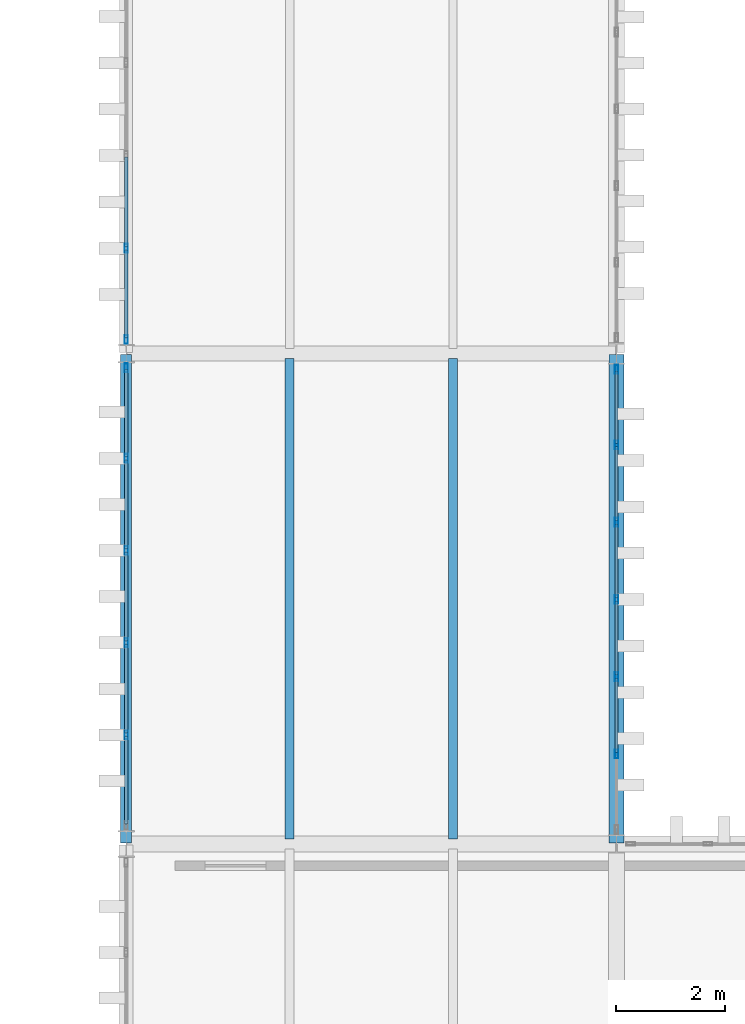
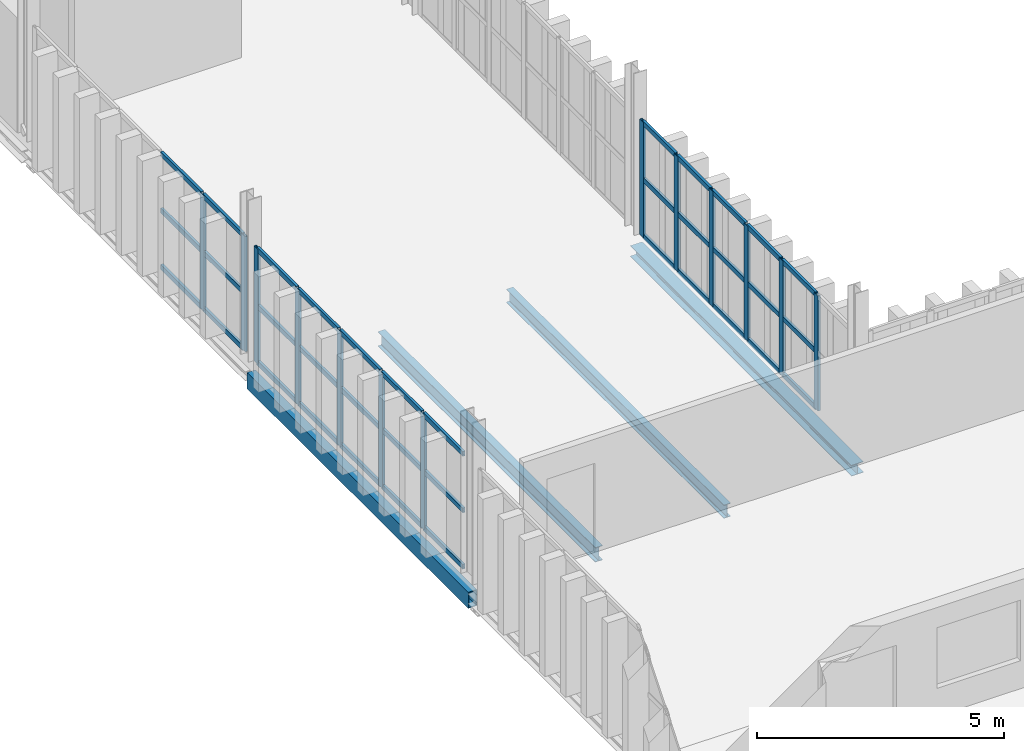
# One storey, part 53 of 102: 49 members, 4 beams, 3 elements without a shape of their own.
"""IFC4 building model written with IfcOpenShell, lengths in metres."""

import ifcopenshell
import ifcopenshell.guid

model = None  # the IFC model being written
_history = None  # IfcOwnerHistory: only IFC2X3 demands one
_inside = {}  # id of a spatial element -> (the spatial element, [elements in it])
_under = {}  # id of a project, library or spatial element -> (it, [spatial elements below it])
_declared = {}  # id of a project -> (the project, [libraries it declares])
_typed = {}  # id of a type object -> (the type object, [elements of that type])
_made_of = {}  # id of a material, layer set ... -> (it, [elements and type objects made of it])


def new_model(schema):
    """Start an empty IFC model of exactly this schema.

    Asked for "IFC4X3", IfcOpenShell would pick the latest addendum, in which some entities
    have other attributes; the version numbers below select the first issue.
    IFC2X3 requires an IfcOwnerHistory on every rooted entity: one is made here for all.
    """
    global model, _history
    if schema == "IFC4X3":
        model = ifcopenshell.file(schema_version=(4, 3, 0, 0))
    else:
        model = ifcopenshell.file(schema=schema)
    _inside.clear()
    _under.clear()
    _declared.clear()
    _typed.clear()
    _made_of.clear()
    _history = None
    if model.schema == "IFC2X3":
        org = make("IfcOrganization", Name="unknown")
        user = make(
            "IfcPersonAndOrganization",
            ThePerson=make("IfcPerson", FamilyName="unknown"),
            TheOrganization=org,
        )
        app = make(
            "IfcApplication",
            ApplicationDeveloper=org,
            Version="unknown",
            ApplicationFullName="unknown",
            ApplicationIdentifier="unknown",
        )
        _history = make(
            "IfcOwnerHistory",
            OwningUser=user,
            OwningApplication=app,
            ChangeAction="ADDED",
            CreationDate=0,
        )
    return model


def make(cls, **values):
    """One entity of the class cls with the attributes given. An attribute that is None is left unset."""
    return model.create_entity(
        cls, **{name: value for name, value in values.items() if value is not None}
    )


def rooted(cls, **values):
    """An entity with a GlobalId (a new one), such as an element, a storey or a relation."""
    return make(cls, GlobalId=ifcopenshell.guid.new(), OwnerHistory=_history, **values)


def si_unit(unit_type, name, prefix=None):
    """IfcSIUnit, for example si_unit("LENGTHUNIT", "METRE", prefix="MILLI")."""
    return make("IfcSIUnit", UnitType=unit_type, Prefix=prefix, Name=name)


def assignment(units):
    """IfcUnitAssignment: the units of a project."""
    return None if units is None else make("IfcUnitAssignment", Units=units)


def point(xyz):
    """IfcCartesianPoint."""
    return None if xyz is None else make("IfcCartesianPoint", Coordinates=xyz)


def direction(xyz):
    """IfcDirection."""
    return None if xyz is None else make("IfcDirection", DirectionRatios=xyz)


def frame(location, z_axis=None, x_axis=None):
    """IfcAxis2Placement3D, a coordinate frame: its origin and axes. An axis left out is left unset."""
    return make(
        "IfcAxis2Placement3D",
        Location=point(location),
        Axis=direction(z_axis),
        RefDirection=direction(x_axis),
    )


def frame_2d(location, x_axis=None):
    """IfcAxis2Placement2D, a coordinate frame in the plane: its origin and x axis."""
    return make(
        "IfcAxis2Placement2D", Location=point(location), RefDirection=direction(x_axis)
    )


def origin():
    """The frame at (0, 0, 0) with its axes left unset."""
    return frame((0.0, 0.0, 0.0))


def origin_2d():
    """The frame at (0, 0) in the plane with its x axis left unset."""
    return frame_2d((0.0, 0.0))


def place(relative_to, where):
    """IfcLocalPlacement: puts the frame where relative to a parent placement (None: the world)."""
    return make(
        "IfcLocalPlacement", PlacementRelTo=relative_to, RelativePlacement=where
    )


def context(
    kind, dimensions, precision=None, world=None, true_north=None, identifier=None
):
    """IfcGeometricRepresentationContext, for example the 3D "Model" context."""
    return make(
        "IfcGeometricRepresentationContext",
        ContextIdentifier=identifier,
        ContextType=kind,
        CoordinateSpaceDimension=dimensions,
        Precision=precision,
        WorldCoordinateSystem=world,
        TrueNorth=true_north,
    )


def subcontext(parent, identifier, kind, view, scale=None):
    """IfcGeometricRepresentationSubContext, for example "Body" below "Model"."""
    return make(
        "IfcGeometricRepresentationSubContext",
        ContextIdentifier=identifier,
        ContextType=kind,
        ParentContext=parent,
        TargetScale=scale,
        TargetView=view,
    )


def project(units=None, contexts=None):
    """IfcProject with its units and contexts."""
    return rooted(
        "IfcProject",
        Name="project",
        RepresentationContexts=contexts,
        UnitsInContext=assignment(units),
    )


def spatial(cls, under=None, at=None, **own):
    """A site, building, storey or space (cls), placed at a placement, below another one or the project."""
    s = rooted(cls, ObjectPlacement=at, **own)
    if under is not None:
        _under.setdefault(under.id(), (under, []))[1].append(s)
    return s


def profile(cls, at=None, kind="AREA", **sizes):
    """A parametric profile (cls). Its sizes go by their IFC names, for example OverallWidth=200.0."""
    return make(cls, ProfileType=kind, Position=at, **sizes)


def hollow_rectangle(**sizes):
    """IfcRectangleHollowProfileDef."""
    return profile("IfcRectangleHollowProfileDef", **sizes)


def i_section(**sizes):
    """IfcIShapeProfileDef."""
    return profile("IfcIShapeProfileDef", **sizes)


def extrude(swept, where, along, depth):
    """IfcExtrudedAreaSolid: the profile swept, set in the frame where, extruded along a direction by depth."""
    return make(
        "IfcExtrudedAreaSolid",
        SweptArea=swept,
        Position=where,
        ExtrudedDirection=direction(along),
        Depth=depth,
    )


def shape(context_of_items, identifier, shape_type, items):
    """IfcShapeRepresentation: the items that make up one representation, for example the "Body"."""
    return make(
        "IfcShapeRepresentation",
        ContextOfItems=context_of_items,
        RepresentationIdentifier=identifier,
        RepresentationType=shape_type,
        Items=items,
    )


def material(Name=None, Category=None):
    """IfcMaterial."""
    return make("IfcMaterial", Name=Name, Category=Category)


def layer(
    of_material, thickness, ventilated=None, Name=None, Category=None, Priority=None
):
    """IfcMaterialLayer: one layer of a wall or slab, of a material (None: an air gap)."""
    return make(
        "IfcMaterialLayer",
        Material=of_material,
        LayerThickness=thickness,
        IsVentilated=ventilated,
        Name=Name,
        Category=Category,
        Priority=Priority,
    )


def layer_set(layers, Name=None):
    """IfcMaterialLayerSet."""
    return make("IfcMaterialLayerSet", MaterialLayers=layers, LayerSetName=Name)


def material_profile(
    of_material, cross_section, Name=None, Category=None, Priority=None
):
    """IfcMaterialProfile: a cross section and its material."""
    return make(
        "IfcMaterialProfile",
        Name=Name,
        Material=of_material,
        Profile=cross_section,
        Priority=Priority,
        Category=Category,
    )


def profile_set(profiles, Name=None, composite=None):
    """IfcMaterialProfileSet."""
    return make(
        "IfcMaterialProfileSet",
        Name=Name,
        MaterialProfiles=profiles,
        CompositeProfile=composite,
    )


def made_of(thing, what):
    """Note that an element or type object is made of a material, layer set ...; save() writes the relation."""
    if what is not None:
        _made_of.setdefault(what.id(), (what, []))[1].append(thing)
    return thing


def type_object(cls, material=None, **own):
    """A type object (cls), such as IfcWallType, which elements share."""
    return made_of(rooted(cls, **own), material)


def element(
    cls,
    number,
    at=None,
    inside=None,
    cuts=None,
    type_object=None,
    material=None,
    context=None,
    identifier="Body",
    shape_type=None,
    held_by="IfcProductDefinitionShape",
    body=None,
    shapes=None,
    **own,
):
    """One element of the class cls, such as IfcWall. Its Tag is "e" and its number.

    at: its placement. inside: the storey or other place that contains it. cuts: it is an
    opening in that element (IfcRelVoidsElement). A single representation is given by context,
    identifier, shape_type and body (its items); several are given by shapes. held_by: the class
    of the entity that holds the representations. save() writes the other relations.
    """
    e = rooted(cls, Tag="e%d" % number, ObjectPlacement=at, **own)
    if body is not None:
        shapes = [shape(context, identifier, shape_type, body)]
    if shapes is not None:
        e.Representation = make(held_by, Representations=shapes)
    if inside is not None:
        _inside.setdefault(inside.id(), (inside, []))[1].append(e)
    if cuts is not None:
        rooted(
            "IfcRelVoidsElement", RelatingBuildingElement=cuts, RelatedOpeningElement=e
        )
    if type_object is not None:
        _typed.setdefault(type_object.id(), (type_object, []))[1].append(e)
    return made_of(e, material)


def aggregate(whole, parts):
    """IfcRelAggregates: a whole, such as a stair, and the parts it consists of."""
    return rooted("IfcRelAggregates", RelatingObject=whole, RelatedObjects=parts)


def save(model, path):
    """Write the relations noted so far, then the file.

    IfcRelAggregates (storeys below a building ...), IfcRelContainedInSpatialStructure (elements
    in a storey), IfcRelDefinesByType, IfcRelAssociatesMaterial and IfcRelDeclares: one each for
    every whole, place, type object, material and project.
    """
    for whole, parts in _under.values():
        aggregate(whole, parts)
    for where, things in _inside.values():
        rooted(
            "IfcRelContainedInSpatialStructure",
            RelatedElements=things,
            RelatingStructure=where,
        )
    for kind, things in _typed.values():
        rooted("IfcRelDefinesByType", RelatedObjects=things, RelatingType=kind)
    for what, things in _made_of.values():
        rooted("IfcRelAssociatesMaterial", RelatedObjects=things, RelatingMaterial=what)
    for by, libraries in _declared.values():
        rooted("IfcRelDeclares", RelatingContext=by, RelatedDefinitions=libraries)
    model.write(path)


model = new_model("IFC4")

# Units and contexts
model_context = context("Model", 3, precision=1e-05, world=origin(), true_north=direction((0.0, 1.0)))
body_context = subcontext(model_context, "Body", "Model", "MODEL_VIEW")
ifc_project = project(units=[si_unit("LENGTHUNIT", "METRE"), si_unit("AREAUNIT", "SQUARE_METRE"), si_unit("VOLUMEUNIT", "CUBIC_METRE"), si_unit("PLANEANGLEUNIT", "RADIAN"), si_unit("MASSUNIT", "GRAM", prefix="KILO")], contexts=[model_context])

# Site, building, storey
site_placement = place(None, origin())
site = spatial("IfcSite", under=ifc_project, at=site_placement, CompositionType="ELEMENT")
building_placement = place(site_placement, origin())
building = spatial("IfcBuilding", under=site, at=building_placement, Name="Barlavento Convention Centre", CompositionType="ELEMENT")
storey_placement = place(building_placement, frame((0.0, 0.0, 22.800048828125)))
storey = spatial("IfcBuildingStorey", under=building, at=storey_placement, Name="L04", CompositionType="ELEMENT", Elevation=22.800048828125)

# Curtain wall, members
ifc_material_1 = material(Name="Powder-coated aluminium and Low-E glass", Category="aluminium")
ifc_layer_1 = layer(ifc_material_1, 0.179931640625)
ifc_layer_set_1 = layer_set([ifc_layer_1], Name="ARC-CW-PATIO-B")
curtain_wall_type_1 = type_object("IfcCurtainWallType", Name="ARC-CW-PATIO-B", PredefinedType="NOTDEFINED", material=ifc_layer_set_1)
curtain_wall_1_placement = place(storey_placement, origin())
curtain_wall_1 = element("IfcCurtainWall", 1, at=curtain_wall_1_placement, inside=storey, type_object=curtain_wall_type_1, Name="L04 unitised curtain wall CW12", PredefinedType="NOTDEFINED")
ifc_material_2 = material(Name="Powder-coated aluminium", Category="aluminium")
ifc_material_profile_1 = material_profile(ifc_material_2, hollow_rectangle(XDim=0.06005859375, YDim=0.159912109375, WallThickness=0.00390625, at=origin_2d()), Name="AL-MULL 60x160x4")
ifc_profile_set_1 = profile_set([ifc_material_profile_1], Name="Powder-coated aluminium")
member_type_1 = type_object("IfcMemberType", Name="ARC-CWM-60X160", PredefinedType="MULLION", material=ifc_profile_set_1)
member_1_placement = place(storey_placement, frame((135.0, 64.6484375, 0.0), z_axis=(0.0, 0.0, 1.0), x_axis=(-1.0, 0.0, 0.0)))
member_1 = element("IfcMember", 2, at=member_1_placement, type_object=member_type_1, Name="CW12 mullion 2", PredefinedType="MULLION", context=body_context, shape_type="SweptSolid", body=[
    extrude(hollow_rectangle(XDim=0.06005859375, YDim=0.159912109375, WallThickness=0.00390625, at=origin_2d()), origin(), (0.0, 0.0, 1.0), 2.849853515625),
])
member_2_placement = place(storey_placement, frame((135.0, 66.066650390625, 0.0), z_axis=(0.0, 0.0, 1.0), x_axis=(-1.0, 0.0, 0.0)))
member_2 = element("IfcMember", 3, at=member_2_placement, type_object=member_type_1, Name="CW12 mullion 3", PredefinedType="MULLION", context=body_context, shape_type="SweptSolid", body=[
    extrude(hollow_rectangle(XDim=0.06005859375, YDim=0.159912109375, WallThickness=0.00390625, at=origin_2d()), origin(), (0.0, 0.0, 1.0), 2.849853515625),
])
member_3_placement = place(storey_placement, frame((135.0, 67.485107421875, 0.0), z_axis=(0.0, 0.0, 1.0), x_axis=(-1.0, 0.0, 0.0)))
member_3 = element("IfcMember", 4, at=member_3_placement, type_object=member_type_1, Name="CW12 mullion 4", PredefinedType="MULLION", context=body_context, shape_type="SweptSolid", body=[
    extrude(hollow_rectangle(XDim=0.06005859375, YDim=0.159912109375, WallThickness=0.00390625, at=origin_2d()), origin(), (0.0, 0.0, 1.0), 2.849853515625),
])
member_4_placement = place(storey_placement, frame((135.0, 68.9033203125, 0.0), z_axis=(0.0, 0.0, 1.0), x_axis=(-1.0, 0.0, 0.0)))
member_4 = element("IfcMember", 5, at=member_4_placement, type_object=member_type_1, Name="CW12 mullion 5", PredefinedType="MULLION", context=body_context, shape_type="SweptSolid", body=[
    extrude(hollow_rectangle(XDim=0.06005859375, YDim=0.159912109375, WallThickness=0.00390625, at=origin_2d()), origin(), (0.0, 0.0, 1.0), 2.849853515625),
])
member_5_placement = place(storey_placement, frame((135.0, 70.32177734375, 0.0), z_axis=(0.0, 0.0, 1.0), x_axis=(-1.0, 0.0, 0.0)))
member_5 = element("IfcMember", 6, at=member_5_placement, type_object=member_type_1, Name="CW12 mullion 6", PredefinedType="MULLION", context=body_context, shape_type="SweptSolid", body=[
    extrude(hollow_rectangle(XDim=0.06005859375, YDim=0.159912109375, WallThickness=0.00390625, at=origin_2d()), origin(), (0.0, 0.0, 1.0), 2.849853515625),
])
member_6_placement = place(storey_placement, frame((135.0, 71.7099609375, 0.0), z_axis=(0.0, 0.0, 1.0), x_axis=(-1.0, 0.0, 0.0)))
member_6 = element("IfcMember", 7, at=member_6_placement, type_object=member_type_1, Name="CW12 mullion 7", PredefinedType="MULLION", context=body_context, shape_type="SweptSolid", body=[
    extrude(hollow_rectangle(XDim=0.06005859375, YDim=0.159912109375, WallThickness=0.00390625, at=origin_2d()), origin(), (0.0, 0.0, 1.0), 2.849853515625),
])

ifc_layer_2 = layer(ifc_material_1, 0.18505859375)
ifc_layer_set_2 = layer_set([ifc_layer_2], Name="ARC-CW-CONF-L04")
curtain_wall_type_2 = type_object("IfcCurtainWallType", Name="ARC-CW-CONF-L04", PredefinedType="NOTDEFINED", material=ifc_layer_set_2)
curtain_wall_2_placement = place(storey_placement, origin())
curtain_wall_2 = element("IfcCurtainWall", 8, at=curtain_wall_2_placement, inside=storey, type_object=curtain_wall_type_2, Name="L04 unitised curtain wall CW09", PredefinedType="NOTDEFINED")
member_7_placement = place(storey_placement, frame((126.0, 65.001953125, 0.0), z_axis=(0.0, 0.0, 1.0), x_axis=(-1.0, 0.0, 0.0)))
member_7 = element("IfcMember", 9, at=member_7_placement, type_object=member_type_1, Name="CW09 mullion 2", PredefinedType="MULLION", context=body_context, shape_type="SweptSolid", body=[
    extrude(hollow_rectangle(XDim=0.06005859375, YDim=0.159912109375, WallThickness=0.00390625, at=origin_2d()), origin(), (0.0, 0.0, 1.0), 2.849853515625),
])
member_8_placement = place(storey_placement, frame((126.0, 66.694091796875, 0.0), z_axis=(0.0, 0.0, 1.0), x_axis=(-1.0, 0.0, 0.0)))
member_8 = element("IfcMember", 10, at=member_8_placement, type_object=member_type_1, Name="CW09 mullion 3", PredefinedType="MULLION", context=body_context, shape_type="SweptSolid", body=[
    extrude(hollow_rectangle(XDim=0.06005859375, YDim=0.159912109375, WallThickness=0.00390625, at=origin_2d()), origin(), (0.0, 0.0, 1.0), 2.849853515625),
])
member_9_placement = place(storey_placement, frame((126.0, 68.385986328125, 0.0), z_axis=(0.0, 0.0, 1.0), x_axis=(-1.0, 0.0, 0.0)))
member_9 = element("IfcMember", 11, at=member_9_placement, type_object=member_type_1, Name="CW09 mullion 4", PredefinedType="MULLION", context=body_context, shape_type="SweptSolid", body=[
    extrude(hollow_rectangle(XDim=0.06005859375, YDim=0.159912109375, WallThickness=0.00390625, at=origin_2d()), origin(), (0.0, 0.0, 1.0), 2.849853515625),
])
member_10_placement = place(storey_placement, frame((126.0, 70.077880859375, 0.0), z_axis=(0.0, 0.0, 1.0), x_axis=(-1.0, 0.0, 0.0)))
member_10 = element("IfcMember", 12, at=member_10_placement, type_object=member_type_1, Name="CW09 mullion 5", PredefinedType="MULLION", context=body_context, shape_type="SweptSolid", body=[
    extrude(hollow_rectangle(XDim=0.06005859375, YDim=0.159912109375, WallThickness=0.00390625, at=origin_2d()), origin(), (0.0, 0.0, 1.0), 2.849853515625),
])
member_11_placement = place(storey_placement, frame((126.0, 71.739990234375, 0.0), z_axis=(0.0, 0.0, 1.0), x_axis=(-1.0, 0.0, 0.0)))
member_11 = element("IfcMember", 13, at=member_11_placement, type_object=member_type_1, Name="CW09 mullion 6", PredefinedType="MULLION", context=body_context, shape_type="SweptSolid", body=[
    extrude(hollow_rectangle(XDim=0.06005859375, YDim=0.159912109375, WallThickness=0.00390625, at=origin_2d()), origin(), (0.0, 0.0, 1.0), 2.849853515625),
])

curtain_wall_3_placement = place(storey_placement, origin())
curtain_wall_3 = element("IfcCurtainWall", 14, at=curtain_wall_3_placement, inside=storey, type_object=curtain_wall_type_2, Name="L04 unitised curtain wall CW09", PredefinedType="NOTDEFINED")
member_12_placement = place(storey_placement, frame((126.0, 72.260009765625, 0.0), z_axis=(0.0, 0.0, 1.0), x_axis=(-1.0, 0.0, 0.0)))
member_12 = element("IfcMember", 15, at=member_12_placement, type_object=member_type_1, Name="CW09 mullion 1", PredefinedType="MULLION", context=body_context, shape_type="SweptSolid", body=[
    extrude(hollow_rectangle(XDim=0.06005859375, YDim=0.159912109375, WallThickness=0.00390625, at=origin_2d()), origin(), (0.0, 0.0, 1.0), 2.849853515625),
])
member_13_placement = place(storey_placement, frame((126.0, 73.931884765625, 0.0), z_axis=(0.0, 0.0, 1.0), x_axis=(-1.0, 0.0, 0.0)))
member_13 = element("IfcMember", 16, at=member_13_placement, type_object=member_type_1, Name="CW09 mullion 2", PredefinedType="MULLION", context=body_context, shape_type="SweptSolid", body=[
    extrude(hollow_rectangle(XDim=0.06005859375, YDim=0.159912109375, WallThickness=0.00390625, at=origin_2d()), origin(), (0.0, 0.0, 1.0), 2.849853515625),
])

# Member
ifc_material_profile_2 = material_profile(ifc_material_2, hollow_rectangle(XDim=0.06005859375, YDim=0.1201171875, WallThickness=0.00390625, at=origin_2d()), Name="AL-TRAN 60x120x4")
ifc_profile_set_2 = profile_set([ifc_material_profile_2], Name="Powder-coated aluminium")
member_type_2 = type_object("IfcMemberType", Name="ARC-CWT-60X120", PredefinedType="USERDEFINED", material=ifc_profile_set_2)
member_14_placement = place(storey_placement, frame((135.0, 64.67822265625, 0.030029296875), z_axis=(0.0, 1.0, 0.0), x_axis=(-1.0, 0.0, 0.0)))
member_14 = element("IfcMember", 17, at=member_14_placement, type_object=member_type_2, Name="CW12 transom 2.1", ObjectType="TRANSOM", PredefinedType="USERDEFINED", context=body_context, shape_type="SweptSolid", body=[
    extrude(hollow_rectangle(XDim=0.06005859375, YDim=0.1201171875, WallThickness=0.00390625, at=origin_2d()), origin(), (0.0, 0.0, 1.0), 1.3583984375),
])

member_15_placement = place(storey_placement, frame((135.0, 64.67822265625, 1.425048828125), z_axis=(0.0, 1.0, 0.0), x_axis=(-1.0, 0.0, 0.0)))
member_15 = element("IfcMember", 18, at=member_15_placement, type_object=member_type_2, Name="CW12 transom 2.2", ObjectType="TRANSOM", PredefinedType="USERDEFINED", context=body_context, shape_type="SweptSolid", body=[
    extrude(hollow_rectangle(XDim=0.06005859375, YDim=0.1201171875, WallThickness=0.00390625, at=origin_2d()), origin(), (0.0, 0.0, 1.0), 1.3583984375),
])

member_16_placement = place(storey_placement, frame((135.0, 64.67822265625, 2.820068359375), z_axis=(0.0, 1.0, 0.0), x_axis=(-1.0, 0.0, 0.0)))
member_16 = element("IfcMember", 19, at=member_16_placement, type_object=member_type_2, Name="CW12 transom 2.3", ObjectType="TRANSOM", PredefinedType="USERDEFINED", context=body_context, shape_type="SweptSolid", body=[
    extrude(hollow_rectangle(XDim=0.06005859375, YDim=0.1201171875, WallThickness=0.00390625, at=origin_2d()), origin(), (0.0, 0.0, 1.0), 1.3583984375),
])

member_17_placement = place(storey_placement, frame((135.0, 66.0966796875, 0.030029296875), z_axis=(0.0, 1.0, 0.0), x_axis=(-1.0, 0.0, 0.0)))
member_17 = element("IfcMember", 20, at=member_17_placement, type_object=member_type_2, Name="CW12 transom 3.1", ObjectType="TRANSOM", PredefinedType="USERDEFINED", context=body_context, shape_type="SweptSolid", body=[
    extrude(hollow_rectangle(XDim=0.06005859375, YDim=0.1201171875, WallThickness=0.00390625, at=origin_2d()), origin(), (0.0, 0.0, 1.0), 1.3583984375),
])

member_18_placement = place(storey_placement, frame((135.0, 66.0966796875, 1.425048828125), z_axis=(0.0, 1.0, 0.0), x_axis=(-1.0, 0.0, 0.0)))
member_18 = element("IfcMember", 21, at=member_18_placement, type_object=member_type_2, Name="CW12 transom 3.2", ObjectType="TRANSOM", PredefinedType="USERDEFINED", context=body_context, shape_type="SweptSolid", body=[
    extrude(hollow_rectangle(XDim=0.06005859375, YDim=0.1201171875, WallThickness=0.00390625, at=origin_2d()), origin(), (0.0, 0.0, 1.0), 1.3583984375),
])

member_19_placement = place(storey_placement, frame((135.0, 66.0966796875, 2.820068359375), z_axis=(0.0, 1.0, 0.0), x_axis=(-1.0, 0.0, 0.0)))
member_19 = element("IfcMember", 22, at=member_19_placement, type_object=member_type_2, Name="CW12 transom 3.3", ObjectType="TRANSOM", PredefinedType="USERDEFINED", context=body_context, shape_type="SweptSolid", body=[
    extrude(hollow_rectangle(XDim=0.06005859375, YDim=0.1201171875, WallThickness=0.00390625, at=origin_2d()), origin(), (0.0, 0.0, 1.0), 1.3583984375),
])

member_20_placement = place(storey_placement, frame((135.0, 67.514892578125, 0.030029296875), z_axis=(0.0, 1.0, 0.0), x_axis=(-1.0, 0.0, 0.0)))
member_20 = element("IfcMember", 23, at=member_20_placement, type_object=member_type_2, Name="CW12 transom 4.1", ObjectType="TRANSOM", PredefinedType="USERDEFINED", context=body_context, shape_type="SweptSolid", body=[
    extrude(hollow_rectangle(XDim=0.06005859375, YDim=0.1201171875, WallThickness=0.00390625, at=origin_2d()), origin(), (0.0, 0.0, 1.0), 1.3583984375),
])

member_21_placement = place(storey_placement, frame((135.0, 67.514892578125, 1.425048828125), z_axis=(0.0, 1.0, 0.0), x_axis=(-1.0, 0.0, 0.0)))
member_21 = element("IfcMember", 24, at=member_21_placement, type_object=member_type_2, Name="CW12 transom 4.2", ObjectType="TRANSOM", PredefinedType="USERDEFINED", context=body_context, shape_type="SweptSolid", body=[
    extrude(hollow_rectangle(XDim=0.06005859375, YDim=0.1201171875, WallThickness=0.00390625, at=origin_2d()), origin(), (0.0, 0.0, 1.0), 1.3583984375),
])

member_22_placement = place(storey_placement, frame((135.0, 67.514892578125, 2.820068359375), z_axis=(0.0, 1.0, 0.0), x_axis=(-1.0, 0.0, 0.0)))
member_22 = element("IfcMember", 25, at=member_22_placement, type_object=member_type_2, Name="CW12 transom 4.3", ObjectType="TRANSOM", PredefinedType="USERDEFINED", context=body_context, shape_type="SweptSolid", body=[
    extrude(hollow_rectangle(XDim=0.06005859375, YDim=0.1201171875, WallThickness=0.00390625, at=origin_2d()), origin(), (0.0, 0.0, 1.0), 1.3583984375),
])

member_23_placement = place(storey_placement, frame((135.0, 68.933349609375, 0.030029296875), z_axis=(0.0, 1.0, 0.0), x_axis=(-1.0, 0.0, 0.0)))
member_23 = element("IfcMember", 26, at=member_23_placement, type_object=member_type_2, Name="CW12 transom 5.1", ObjectType="TRANSOM", PredefinedType="USERDEFINED", context=body_context, shape_type="SweptSolid", body=[
    extrude(hollow_rectangle(XDim=0.06005859375, YDim=0.1201171875, WallThickness=0.00390625, at=origin_2d()), origin(), (0.0, 0.0, 1.0), 1.3583984375),
])

member_24_placement = place(storey_placement, frame((135.0, 68.933349609375, 1.425048828125), z_axis=(0.0, 1.0, 0.0), x_axis=(-1.0, 0.0, 0.0)))
member_24 = element("IfcMember", 27, at=member_24_placement, type_object=member_type_2, Name="CW12 transom 5.2", ObjectType="TRANSOM", PredefinedType="USERDEFINED", context=body_context, shape_type="SweptSolid", body=[
    extrude(hollow_rectangle(XDim=0.06005859375, YDim=0.1201171875, WallThickness=0.00390625, at=origin_2d()), origin(), (0.0, 0.0, 1.0), 1.3583984375),
])

member_25_placement = place(storey_placement, frame((135.0, 68.933349609375, 2.820068359375), z_axis=(0.0, 1.0, 0.0), x_axis=(-1.0, 0.0, 0.0)))
member_25 = element("IfcMember", 28, at=member_25_placement, type_object=member_type_2, Name="CW12 transom 5.3", ObjectType="TRANSOM", PredefinedType="USERDEFINED", context=body_context, shape_type="SweptSolid", body=[
    extrude(hollow_rectangle(XDim=0.06005859375, YDim=0.1201171875, WallThickness=0.00390625, at=origin_2d()), origin(), (0.0, 0.0, 1.0), 1.3583984375),
])

member_26_placement = place(storey_placement, frame((135.0, 70.3515625, 0.030029296875), z_axis=(0.0, 1.0, 0.0), x_axis=(-1.0, 0.0, 0.0)))
member_26 = element("IfcMember", 29, at=member_26_placement, type_object=member_type_2, Name="CW12 transom 6.1", ObjectType="TRANSOM", PredefinedType="USERDEFINED", context=body_context, shape_type="SweptSolid", body=[
    extrude(hollow_rectangle(XDim=0.06005859375, YDim=0.1201171875, WallThickness=0.00390625, at=origin_2d()), origin(), (0.0, 0.0, 1.0), 1.328369140625),
])

member_27_placement = place(storey_placement, frame((135.0, 70.3515625, 1.425048828125), z_axis=(0.0, 1.0, 0.0), x_axis=(-1.0, 0.0, 0.0)))
member_27 = element("IfcMember", 30, at=member_27_placement, type_object=member_type_2, Name="CW12 transom 6.2", ObjectType="TRANSOM", PredefinedType="USERDEFINED", context=body_context, shape_type="SweptSolid", body=[
    extrude(hollow_rectangle(XDim=0.06005859375, YDim=0.1201171875, WallThickness=0.00390625, at=origin_2d()), origin(), (0.0, 0.0, 1.0), 1.328369140625),
])

member_28_placement = place(storey_placement, frame((135.0, 70.3515625, 2.820068359375), z_axis=(0.0, 1.0, 0.0), x_axis=(-1.0, 0.0, 0.0)))
member_28 = element("IfcMember", 31, at=member_28_placement, type_object=member_type_2, Name="CW12 transom 6.3", ObjectType="TRANSOM", PredefinedType="USERDEFINED", context=body_context, shape_type="SweptSolid", body=[
    extrude(hollow_rectangle(XDim=0.06005859375, YDim=0.1201171875, WallThickness=0.00390625, at=origin_2d()), origin(), (0.0, 0.0, 1.0), 1.328369140625),
])

aggregate(curtain_wall_1, [member_1, member_2, member_3, member_4, member_5, member_6, member_14, member_15, member_16, member_17, member_18, member_19, member_20, member_21, member_22, member_23, member_24, member_25, member_26, member_27, member_28])

member_29_placement = place(storey_placement, frame((126.0, 63.3701171875, 0.030029296875), z_axis=(0.0, 1.0, 0.0), x_axis=(-1.0, 0.0, 0.0)))
member_29 = element("IfcMember", 32, at=member_29_placement, type_object=member_type_2, Name="CW09 transom 1.1", ObjectType="TRANSOM", PredefinedType="USERDEFINED", context=body_context, shape_type="SweptSolid", body=[
    extrude(hollow_rectangle(XDim=0.06005859375, YDim=0.1201171875, WallThickness=0.00390625, at=origin_2d()), origin(), (0.0, 0.0, 1.0), 1.601806640625),
])

member_30_placement = place(storey_placement, frame((126.0, 63.3701171875, 1.425048828125), z_axis=(0.0, 1.0, 0.0), x_axis=(-1.0, 0.0, 0.0)))
member_30 = element("IfcMember", 33, at=member_30_placement, type_object=member_type_2, Name="CW09 transom 1.2", ObjectType="TRANSOM", PredefinedType="USERDEFINED", context=body_context, shape_type="SweptSolid", body=[
    extrude(hollow_rectangle(XDim=0.06005859375, YDim=0.1201171875, WallThickness=0.00390625, at=origin_2d()), origin(), (0.0, 0.0, 1.0), 1.601806640625),
])

member_31_placement = place(storey_placement, frame((126.0, 63.3701171875, 2.820068359375), z_axis=(0.0, 1.0, 0.0), x_axis=(-1.0, 0.0, 0.0)))
member_31 = element("IfcMember", 34, at=member_31_placement, type_object=member_type_2, Name="CW09 transom 1.3", ObjectType="TRANSOM", PredefinedType="USERDEFINED", context=body_context, shape_type="SweptSolid", body=[
    extrude(hollow_rectangle(XDim=0.06005859375, YDim=0.1201171875, WallThickness=0.00390625, at=origin_2d()), origin(), (0.0, 0.0, 1.0), 1.601806640625),
])

member_32_placement = place(storey_placement, frame((126.0, 65.031982421875, 0.030029296875), z_axis=(0.0, 1.0, 0.0), x_axis=(-1.0, 0.0, 0.0)))
member_32 = element("IfcMember", 35, at=member_32_placement, type_object=member_type_2, Name="CW09 transom 2.1", ObjectType="TRANSOM", PredefinedType="USERDEFINED", context=body_context, shape_type="SweptSolid", body=[
    extrude(hollow_rectangle(XDim=0.06005859375, YDim=0.1201171875, WallThickness=0.00390625, at=origin_2d()), origin(), (0.0, 0.0, 1.0), 1.632080078125),
])

member_33_placement = place(storey_placement, frame((126.0, 65.031982421875, 1.425048828125), z_axis=(0.0, 1.0, 0.0), x_axis=(-1.0, 0.0, 0.0)))
member_33 = element("IfcMember", 36, at=member_33_placement, type_object=member_type_2, Name="CW09 transom 2.2", ObjectType="TRANSOM", PredefinedType="USERDEFINED", context=body_context, shape_type="SweptSolid", body=[
    extrude(hollow_rectangle(XDim=0.06005859375, YDim=0.1201171875, WallThickness=0.00390625, at=origin_2d()), origin(), (0.0, 0.0, 1.0), 1.632080078125),
])

member_34_placement = place(storey_placement, frame((126.0, 65.031982421875, 2.820068359375), z_axis=(0.0, 1.0, 0.0), x_axis=(-1.0, 0.0, 0.0)))
member_34 = element("IfcMember", 37, at=member_34_placement, type_object=member_type_2, Name="CW09 transom 2.3", ObjectType="TRANSOM", PredefinedType="USERDEFINED", context=body_context, shape_type="SweptSolid", body=[
    extrude(hollow_rectangle(XDim=0.06005859375, YDim=0.1201171875, WallThickness=0.00390625, at=origin_2d()), origin(), (0.0, 0.0, 1.0), 1.632080078125),
])

member_35_placement = place(storey_placement, frame((126.0, 66.72412109375, 0.030029296875), z_axis=(0.0, 1.0, 0.0), x_axis=(-1.0, 0.0, 0.0)))
member_35 = element("IfcMember", 38, at=member_35_placement, type_object=member_type_2, Name="CW09 transom 3.1", ObjectType="TRANSOM", PredefinedType="USERDEFINED", context=body_context, shape_type="SweptSolid", body=[
    extrude(hollow_rectangle(XDim=0.06005859375, YDim=0.1201171875, WallThickness=0.00390625, at=origin_2d()), origin(), (0.0, 0.0, 1.0), 1.6318359375),
])

member_36_placement = place(storey_placement, frame((126.0, 66.72412109375, 1.425048828125), z_axis=(0.0, 1.0, 0.0), x_axis=(-1.0, 0.0, 0.0)))
member_36 = element("IfcMember", 39, at=member_36_placement, type_object=member_type_2, Name="CW09 transom 3.2", ObjectType="TRANSOM", PredefinedType="USERDEFINED", context=body_context, shape_type="SweptSolid", body=[
    extrude(hollow_rectangle(XDim=0.06005859375, YDim=0.1201171875, WallThickness=0.00390625, at=origin_2d()), origin(), (0.0, 0.0, 1.0), 1.6318359375),
])

member_37_placement = place(storey_placement, frame((126.0, 66.72412109375, 2.820068359375), z_axis=(0.0, 1.0, 0.0), x_axis=(-1.0, 0.0, 0.0)))
member_37 = element("IfcMember", 40, at=member_37_placement, type_object=member_type_2, Name="CW09 transom 3.3", ObjectType="TRANSOM", PredefinedType="USERDEFINED", context=body_context, shape_type="SweptSolid", body=[
    extrude(hollow_rectangle(XDim=0.06005859375, YDim=0.1201171875, WallThickness=0.00390625, at=origin_2d()), origin(), (0.0, 0.0, 1.0), 1.6318359375),
])

member_38_placement = place(storey_placement, frame((126.0, 68.416015625, 0.030029296875), z_axis=(0.0, 1.0, 0.0), x_axis=(-1.0, 0.0, 0.0)))
member_38 = element("IfcMember", 41, at=member_38_placement, type_object=member_type_2, Name="CW09 transom 4.1", ObjectType="TRANSOM", PredefinedType="USERDEFINED", context=body_context, shape_type="SweptSolid", body=[
    extrude(hollow_rectangle(XDim=0.06005859375, YDim=0.1201171875, WallThickness=0.00390625, at=origin_2d()), origin(), (0.0, 0.0, 1.0), 1.632080078125),
])

member_39_placement = place(storey_placement, frame((126.0, 68.416015625, 1.425048828125), z_axis=(0.0, 1.0, 0.0), x_axis=(-1.0, 0.0, 0.0)))
member_39 = element("IfcMember", 42, at=member_39_placement, type_object=member_type_2, Name="CW09 transom 4.2", ObjectType="TRANSOM", PredefinedType="USERDEFINED", context=body_context, shape_type="SweptSolid", body=[
    extrude(hollow_rectangle(XDim=0.06005859375, YDim=0.1201171875, WallThickness=0.00390625, at=origin_2d()), origin(), (0.0, 0.0, 1.0), 1.632080078125),
])

member_40_placement = place(storey_placement, frame((126.0, 68.416015625, 2.820068359375), z_axis=(0.0, 1.0, 0.0), x_axis=(-1.0, 0.0, 0.0)))
member_40 = element("IfcMember", 43, at=member_40_placement, type_object=member_type_2, Name="CW09 transom 4.3", ObjectType="TRANSOM", PredefinedType="USERDEFINED", context=body_context, shape_type="SweptSolid", body=[
    extrude(hollow_rectangle(XDim=0.06005859375, YDim=0.1201171875, WallThickness=0.00390625, at=origin_2d()), origin(), (0.0, 0.0, 1.0), 1.632080078125),
])

member_41_placement = place(storey_placement, frame((126.0, 70.10791015625, 0.030029296875), z_axis=(0.0, 1.0, 0.0), x_axis=(-1.0, 0.0, 0.0)))
member_41 = element("IfcMember", 44, at=member_41_placement, type_object=member_type_2, Name="CW09 transom 5.1", ObjectType="TRANSOM", PredefinedType="USERDEFINED", context=body_context, shape_type="SweptSolid", body=[
    extrude(hollow_rectangle(XDim=0.06005859375, YDim=0.1201171875, WallThickness=0.00390625, at=origin_2d()), origin(), (0.0, 0.0, 1.0), 1.60205078125),
])

member_42_placement = place(storey_placement, frame((126.0, 70.10791015625, 1.425048828125), z_axis=(0.0, 1.0, 0.0), x_axis=(-1.0, 0.0, 0.0)))
member_42 = element("IfcMember", 45, at=member_42_placement, type_object=member_type_2, Name="CW09 transom 5.2", ObjectType="TRANSOM", PredefinedType="USERDEFINED", context=body_context, shape_type="SweptSolid", body=[
    extrude(hollow_rectangle(XDim=0.06005859375, YDim=0.1201171875, WallThickness=0.00390625, at=origin_2d()), origin(), (0.0, 0.0, 1.0), 1.60205078125),
])

member_43_placement = place(storey_placement, frame((126.0, 70.10791015625, 2.820068359375), z_axis=(0.0, 1.0, 0.0), x_axis=(-1.0, 0.0, 0.0)))
member_43 = element("IfcMember", 46, at=member_43_placement, type_object=member_type_2, Name="CW09 transom 5.3", ObjectType="TRANSOM", PredefinedType="USERDEFINED", context=body_context, shape_type="SweptSolid", body=[
    extrude(hollow_rectangle(XDim=0.06005859375, YDim=0.1201171875, WallThickness=0.00390625, at=origin_2d()), origin(), (0.0, 0.0, 1.0), 1.60205078125),
])

aggregate(curtain_wall_2, [member_7, member_8, member_9, member_10, member_11, member_29, member_30, member_31, member_32, member_33, member_34, member_35, member_36, member_37, member_38, member_39, member_40, member_41, member_42, member_43])

member_44_placement = place(storey_placement, frame((126.0, 72.2900390625, 0.030029296875), z_axis=(0.0, 1.0, 0.0), x_axis=(-1.0, 0.0, 0.0)))
member_44 = element("IfcMember", 47, at=member_44_placement, type_object=member_type_2, Name="CW09 transom 1.1", ObjectType="TRANSOM", PredefinedType="USERDEFINED", context=body_context, shape_type="SweptSolid", body=[
    extrude(hollow_rectangle(XDim=0.06005859375, YDim=0.1201171875, WallThickness=0.00390625, at=origin_2d()), origin(), (0.0, 0.0, 1.0), 1.612060546875),
])

member_45_placement = place(storey_placement, frame((126.0, 72.2900390625, 1.425048828125), z_axis=(0.0, 1.0, 0.0), x_axis=(-1.0, 0.0, 0.0)))
member_45 = element("IfcMember", 48, at=member_45_placement, type_object=member_type_2, Name="CW09 transom 1.2", ObjectType="TRANSOM", PredefinedType="USERDEFINED", context=body_context, shape_type="SweptSolid", body=[
    extrude(hollow_rectangle(XDim=0.06005859375, YDim=0.1201171875, WallThickness=0.00390625, at=origin_2d()), origin(), (0.0, 0.0, 1.0), 1.612060546875),
])

member_46_placement = place(storey_placement, frame((126.0, 72.2900390625, 2.820068359375), z_axis=(0.0, 1.0, 0.0), x_axis=(-1.0, 0.0, 0.0)))
member_46 = element("IfcMember", 49, at=member_46_placement, type_object=member_type_2, Name="CW09 transom 1.3", ObjectType="TRANSOM", PredefinedType="USERDEFINED", context=body_context, shape_type="SweptSolid", body=[
    extrude(hollow_rectangle(XDim=0.06005859375, YDim=0.1201171875, WallThickness=0.00390625, at=origin_2d()), origin(), (0.0, 0.0, 1.0), 1.612060546875),
])

member_47_placement = place(storey_placement, frame((126.0, 73.9619140625, 0.030029296875), z_axis=(0.0, 1.0, 0.0), x_axis=(-1.0, 0.0, 0.0)))
member_47 = element("IfcMember", 50, at=member_47_placement, type_object=member_type_2, Name="CW09 transom 2.1", ObjectType="TRANSOM", PredefinedType="USERDEFINED", context=body_context, shape_type="SweptSolid", body=[
    extrude(hollow_rectangle(XDim=0.06005859375, YDim=0.1201171875, WallThickness=0.00390625, at=origin_2d()), origin(), (0.0, 0.0, 1.0), 1.64208984375),
])

member_48_placement = place(storey_placement, frame((126.0, 73.9619140625, 1.425048828125), z_axis=(0.0, 1.0, 0.0), x_axis=(-1.0, 0.0, 0.0)))
member_48 = element("IfcMember", 51, at=member_48_placement, type_object=member_type_2, Name="CW09 transom 2.2", ObjectType="TRANSOM", PredefinedType="USERDEFINED", context=body_context, shape_type="SweptSolid", body=[
    extrude(hollow_rectangle(XDim=0.06005859375, YDim=0.1201171875, WallThickness=0.00390625, at=origin_2d()), origin(), (0.0, 0.0, 1.0), 1.64208984375),
])

member_49_placement = place(storey_placement, frame((126.0, 73.9619140625, 2.820068359375), z_axis=(0.0, 1.0, 0.0), x_axis=(-1.0, 0.0, 0.0)))
member_49 = element("IfcMember", 52, at=member_49_placement, type_object=member_type_2, Name="CW09 transom 2.3", ObjectType="TRANSOM", PredefinedType="USERDEFINED", context=body_context, shape_type="SweptSolid", body=[
    extrude(hollow_rectangle(XDim=0.06005859375, YDim=0.1201171875, WallThickness=0.00390625, at=origin_2d()), origin(), (0.0, 0.0, 1.0), 1.64208984375),
])

aggregate(curtain_wall_3, [member_12, member_13, member_44, member_45, member_46, member_47, member_48, member_49])

# Beams
ifc_material_3 = material(Name="Steel S355", Category="steel")
ifc_material_profile_3 = material_profile(ifc_material_3, i_section(OverallWidth=0.159912109375, OverallDepth=0.330078125, WebThickness=0.007568359375, FlangeThickness=0.011474609375, FilletRadius=0.01806640625, at=origin_2d()), Name="IPE 330")
ifc_profile_set_3 = profile_set([ifc_material_profile_3], Name="Steel S355")
beam_type_1 = type_object("IfcBeamType", Name="STR-BM-JST-IPE330", PredefinedType="JOIST", material=ifc_profile_set_3)
beam_1_placement = place(storey_placement, frame((132.0, 63.094970703125, -0.525146484375), z_axis=(0.0, 1.0, 0.0), x_axis=(-1.0, 0.0, 0.0)))
element("IfcBeam", 53, at=beam_1_placement, inside=storey, type_object=beam_type_1, Name="L04 composite floor joist SJ06", PredefinedType="JOIST", context=body_context, shape_type="SweptSolid", body=[
    extrude(i_section(OverallWidth=0.159912109375, OverallDepth=0.330078125, WebThickness=0.007568359375, FlangeThickness=0.011474609375, FilletRadius=0.01806640625, at=origin_2d()), origin(), (0.0, 0.0, 1.0), 8.81005859375),
])
ifc_material_profile_4 = material_profile(ifc_material_3, i_section(OverallWidth=0.169921875, OverallDepth=0.360107421875, WebThickness=0.008056640625, FlangeThickness=0.0126953125, FilletRadius=0.01806640625, at=origin_2d()), Name="IPE 360")
ifc_profile_set_4 = profile_set([ifc_material_profile_4], Name="Steel S355")
beam_type_2 = type_object("IfcBeamType", Name="STR-BM-JST-IPE360", PredefinedType="JOIST", material=ifc_profile_set_4)
beam_2_placement = place(storey_placement, frame((129.0, 63.094970703125, -0.5400390625), z_axis=(0.0, 1.0, 0.0), x_axis=(-1.0, 0.0, 0.0)))
element("IfcBeam", 54, at=beam_2_placement, inside=storey, type_object=beam_type_2, Name="L04 composite floor joist SJ05", PredefinedType="JOIST", context=body_context, shape_type="SweptSolid", body=[
    extrude(i_section(OverallWidth=0.169921875, OverallDepth=0.360107421875, WebThickness=0.008056640625, FlangeThickness=0.0126953125, FilletRadius=0.01806640625, at=origin_2d()), origin(), (0.0, 0.0, 1.0), 8.81005859375),
])
ifc_material_profile_5 = material_profile(ifc_material_3, i_section(OverallWidth=0.280029296875, OverallDepth=0.27001953125, WebThickness=0.008056640625, FlangeThickness=0.012939453125, FilletRadius=0.02392578125, at=origin_2d()), Name="HEA 280")
ifc_profile_set_5 = profile_set([ifc_material_profile_5], Name="Steel S355")
beam_type_3 = type_object("IfcBeamType", Name="STR-BM-SPN-HEA280", PredefinedType="SPANDREL", material=ifc_profile_set_5)
beam_3_placement = place(storey_placement, frame((135.0, 63.02001953125, -0.4951171875), z_axis=(0.0, 1.0, 0.0), x_axis=(-1.0, 0.0, 0.0)))
element("IfcBeam", 55, at=beam_3_placement, inside=storey, type_object=beam_type_3, Name="L04 grid girder SP03", PredefinedType="SPANDREL", context=body_context, shape_type="SweptSolid", body=[
    extrude(i_section(OverallWidth=0.280029296875, OverallDepth=0.27001953125, WebThickness=0.008056640625, FlangeThickness=0.012939453125, FilletRadius=0.02392578125, at=origin_2d()), origin(), (0.0, 0.0, 1.0), 8.9599609375),
])
ifc_material_profile_6 = material_profile(ifc_material_3, hollow_rectangle(XDim=0.199951171875, YDim=0.39990234375, WallThickness=0.01611328125, at=origin_2d()), Name="RHS 400x200x16.0")
ifc_profile_set_6 = profile_set([ifc_material_profile_6], Name="Steel S355")
beam_type_4 = type_object("IfcBeamType", Name="STR-BM-SPN-RHS400", PredefinedType="SPANDREL", material=ifc_profile_set_6)
beam_4_placement = place(storey_placement, frame((126.0, 63.02001953125, -0.56005859375), z_axis=(0.0, 1.0, 0.0), x_axis=(-1.0, 0.0, 0.0)))
element("IfcBeam", 56, at=beam_4_placement, inside=storey, type_object=beam_type_4, Name="L04 grid girder SP06", PredefinedType="SPANDREL", context=body_context, shape_type="SweptSolid", body=[
    extrude(hollow_rectangle(XDim=0.199951171875, YDim=0.39990234375, WallThickness=0.01611328125, at=origin_2d()), origin(), (0.0, 0.0, 1.0), 8.9599609375),
])

save(model, "model.ifc")
